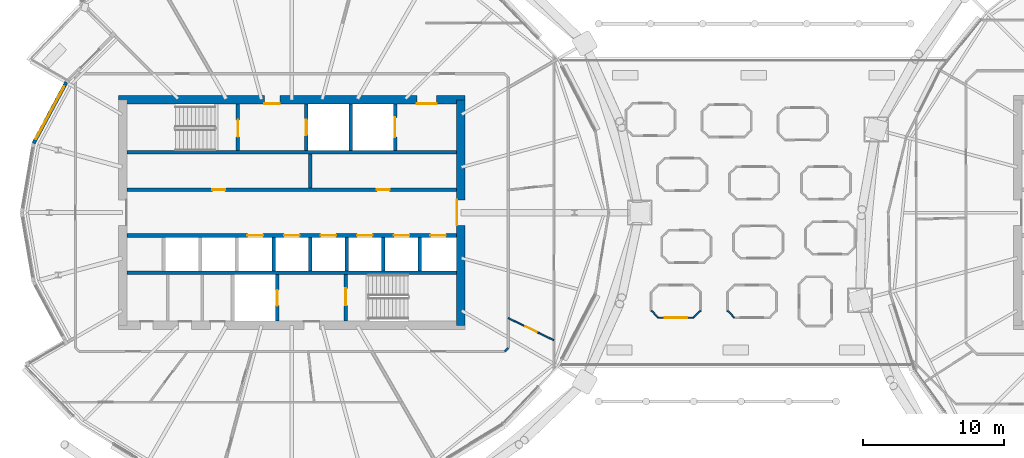
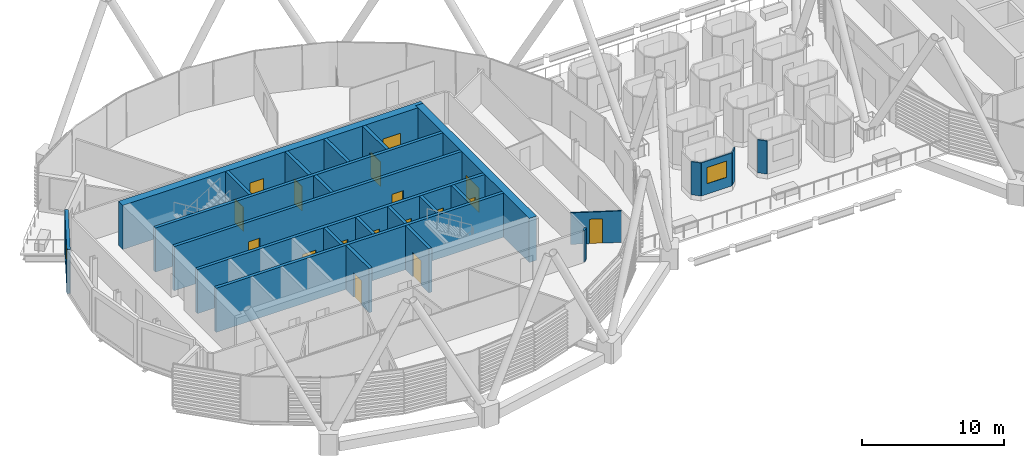
# One storey, part 23 of 38: 25 walls, 17 doors, 2 windows, 19 openings.
"""IFC4 building model written with IfcOpenShell, lengths in metres."""

from ifc_helpers import new_model, si_unit, direction, frame, frame_2d, origin, place, context, subcontext, project, spatial, rectangle, extrude, material, layer, layer_set, type_object, element, fill, save


model = new_model("IFC4")

# Units and contexts
model_context = context("Model", 3, precision=1e-05, world=origin(), true_north=direction((0.0, 1.0)))
body_context = subcontext(model_context, "Body", "Model", "MODEL_VIEW")
ifc_project = project(units=[si_unit("LENGTHUNIT", "METRE"), si_unit("AREAUNIT", "SQUARE_METRE"), si_unit("VOLUMEUNIT", "CUBIC_METRE"), si_unit("PLANEANGLEUNIT", "RADIAN"), si_unit("MASSUNIT", "GRAM", prefix="KILO")], contexts=[model_context])

# Site, building, storey
site_placement = place(None, origin())
site = spatial("IfcSite", under=ifc_project, at=site_placement, CompositionType="ELEMENT")
building_placement = place(site_placement, origin())
building = spatial("IfcBuilding", under=site, at=building_placement, Name="Rimbun Link Towers", CompositionType="ELEMENT")
storey_placement = place(building_placement, frame((0.0, 0.0, 158.89990234375)))
storey = spatial("IfcBuildingStorey", under=building, at=storey_placement, Name="L38", CompositionType="ELEMENT", Elevation=158.89990234375)

# Wall
ifc_material_1 = material(Name="Terracotta-faced insulated sandwich panel", Category="masonry")
ifc_layer_1 = layer(ifc_material_1, 0.10009765625)
ifc_layer_set_1 = layer_set([ifc_layer_1], Name="CAPSULE shell panel 100")
wall_type_1 = type_object("IfcWallType", Name="CAPSULE shell panel 100", PredefinedType="STANDARD", material=ifc_layer_set_1)
wall_1_placement = place(storey_placement, frame((-6.25, -6.949951171875, 0.41015625), z_axis=(0.0, 0.0, 1.0), x_axis=(0.707106781187, -0.707106781187, 0.0)))
element("IfcWall", 1, at=wall_1_placement, inside=storey, type_object=wall_type_1, Name="CAPSULE C01 shell panel 6", PredefinedType="STANDARD", context=body_context, shape_type="SweptSolid", body=[
    extrude(rectangle(XDim=0.70703125, YDim=0.10009765625, at=frame_2d((0.353515625, 0.0))), origin(), (0.0, 0.0, 1.0), 2.849853515625),
])

# Wall, opening, window
wall_2_placement = place(storey_placement, frame((-5.75, -7.449951171875, 0.41015625), z_axis=(0.0, 0.0, 1.0), x_axis=(1.0, 0.0, 0.0)))
wall_2 = element("IfcWall", 2, at=wall_2_placement, inside=storey, type_object=wall_type_1, Name="CAPSULE C01 shell panel 7", PredefinedType="STANDARD", context=body_context, shape_type="SweptSolid", body=[
    extrude(rectangle(XDim=2.5, YDim=0.10009765625, at=frame_2d((1.25, 0.0))), origin(), (0.0, 0.0, 1.0), 2.849853515625),
])
opening_1_placement = place(wall_2_placement, frame((0.449951171875, 0.0, 0.89990234375)))
opening_1 = element("IfcOpeningElement", 3, at=opening_1_placement, cuts=wall_2, Name="Opening CN38.01", PredefinedType="OPENING", context=body_context, shape_type="SweptSolid", body=[
    extrude(rectangle(XDim=1.60009765625, YDim=1.39990234375, at=frame_2d((0.800048828125, 0.699951171875))), frame((0.0, 0.06005859375, 0.0), z_axis=(0.0, -1.0, 0.0), x_axis=(1.0, 0.0, 0.0)), (0.0, 0.0, 1.0), 0.1201171875),
])
ifc_material_2 = material(Name="Aluminium framed window, low-iron glass", Category="aluminium")
window_type_1 = type_object("IfcWindowType", Name="CAPSULE window 1600X1400", PartitioningType="SINGLE_PANEL", PredefinedType="WINDOW", material=ifc_material_2)
window_1_placement = place(opening_1_placement, origin())
window_1 = element("IfcWindow", 4, at=window_1_placement, inside=storey, type_object=window_type_1, Name="CAPSULE C01 window", OverallHeight=1.39990234375, OverallWidth=1.60009765625, PartitioningType="SINGLE_PANEL", PredefinedType="WINDOW", context=body_context, shape_type="SweptSolid", body=[
    extrude(rectangle(XDim=1.60009765625, YDim=1.39990234375, at=frame_2d((0.800048828125, 0.699951171875))), frame((0.0, 0.030029296875, 0.0), z_axis=(0.0, -1.0, 0.0), x_axis=(1.0, 0.0, 0.0)), (0.0, 0.0, 1.0), 0.06005859375),
])
fill(opening_1, window_1)

# Walls
for number, where, z_axis, x_axis, name in (
    (5, (-3.25, -7.449951171875, 0.41015625), (0.0, 0.0, 1.0), (0.707106781187, 0.707106781187, 0.0), "CAPSULE C01 shell panel 8"),
    (6, (-0.85009765625, -6.949951171875, 0.41015625), (0.0, 0.0, 1.0), (0.707106781187, -0.707106781187, 0.0), "CAPSULE C02 shell panel 6"),
):
    element("IfcWall", number, at=place(storey_placement, frame(where, z_axis=z_axis, x_axis=x_axis)), inside=storey, type_object=wall_type_1, Name=name, PredefinedType="STANDARD", context=body_context, shape_type="SweptSolid", body=[
        extrude(rectangle(XDim=0.70703125, YDim=0.10009765625, at=frame_2d((0.353515625, 0.0))), origin(), (0.0, 0.0, 1.0), 2.849853515625),
    ])

# Wall, opening, window
ifc_material_3 = material(Name="Dark enamelled glass spandrel on insulated aluminium backpan", Category="aluminium")
ifc_layer_2 = layer(ifc_material_3, 0.25)
ifc_layer_set_2 = layer_set([ifc_layer_2], Name="CS dark enamelled spandrel wall 250")
wall_type_2 = type_object("IfcWallType", Name="CS dark enamelled spandrel wall 250", PredefinedType="STANDARD", material=ifc_layer_set_2)
wall_3_placement = place(storey_placement, frame((-50.07470703125, 4.919189453125, 0.0), z_axis=(0.0, 0.0, 1.0), x_axis=(0.473187986105, 0.880961480319, 0.0)))
wall_3 = element("IfcWall", 7, at=wall_3_placement, inside=storey, type_object=wall_type_2, Name="Crease spandrel wall", PredefinedType="STANDARD", context=body_context, shape_type="SweptSolid", body=[
    extrude(rectangle(XDim=4.9189453125, YDim=0.25, at=frame_2d((2.45947265625, 0.0))), origin(), (0.0, 0.0, 1.0), 3.800048828125),
])
opening_2_placement = place(wall_3_placement, frame((0.33447265625, 0.0, 0.300048828125)))
opening_2 = element("IfcOpeningElement", 8, at=opening_2_placement, cuts=wall_3, Name="Opening WR42H295", PredefinedType="OPENING", context=body_context, shape_type="SweptSolid", body=[
    extrude(rectangle(XDim=4.25, YDim=2.949951171875, at=frame_2d((2.125, 1.47509765625))), frame((0.0, 0.135009765625, 0.0), z_axis=(0.0, -1.0, 0.0), x_axis=(1.0, 0.0, 0.0)), (0.0, 0.0, 1.0), 0.27001953125),
])
ifc_material_4 = material(Name="Aluminium framed fixed window, dark tinted low-e glass", Category="aluminium")
window_type_2 = type_object("IfcWindowType", Name="WR ribbon window 4250X2950", PartitioningType="SINGLE_PANEL", PredefinedType="WINDOW", material=ifc_material_4)
window_2_placement = place(opening_2_placement, origin())
window_2 = element("IfcWindow", 9, at=window_2_placement, inside=storey, type_object=window_type_2, Name="Crease ribbon window", OverallHeight=2.949951171875, OverallWidth=4.25, PartitioningType="SINGLE_PANEL", PredefinedType="WINDOW", context=body_context, shape_type="SweptSolid", body=[
    extrude(rectangle(XDim=4.25, YDim=2.949951171875, at=frame_2d((2.125, 1.47509765625))), frame((0.0, 0.030029296875, 0.0), z_axis=(0.0, -1.0, 0.0), x_axis=(1.0, 0.0, 0.0)), (0.0, 0.0, 1.0), 0.06005859375),
])
fill(opening_2, window_2)

# Wall, openings, doors
ifc_material_5 = material(Name="Concrete C60/75", Category="concrete")
ifc_layer_3 = layer(ifc_material_5, 0.60009765625)
ifc_layer_set_3 = layer_set([ifc_layer_3], Name="Core shear wall 600")
wall_type_3 = type_object("IfcWallType", Name="Core shear wall 600", PredefinedType="SHEAR", material=ifc_layer_set_3)
wall_4_placement = place(storey_placement, frame((-44.050048828125, 8.0, 0.0), z_axis=(0.0, 0.0, 1.0), x_axis=(1.0, 0.0, 0.0)))
wall_4 = element("IfcWall", 10, at=wall_4_placement, inside=storey, type_object=wall_type_3, Name="L38 T1 core wall N", PredefinedType="SHEAR", context=body_context, shape_type="SweptSolid", body=[
    extrude(rectangle(XDim=24.60009765625, YDim=0.60009765625, at=frame_2d((12.300048828125, 0.0))), origin(), (0.0, 0.0, 1.0), 3.800048828125),
])
opening_3_placement = place(wall_4_placement, frame((10.35009765625, 0.0, 0.0)))
opening_3 = element("IfcOpeningElement", 11, at=opening_3_placement, cuts=wall_4, Name="Opening C1DCF01N", PredefinedType="OPENING", context=body_context, shape_type="SweptSolid", body=[
    extrude(rectangle(XDim=1.10009765625, YDim=2.10009765625, at=frame_2d((0.550048828125, 1.050048828125))), frame((0.0, 0.31005859375, 0.0), z_axis=(0.0, -1.0, 0.0), x_axis=(1.0, 0.0, 0.0)), (0.0, 0.0, 1.0), 0.6201171875),
])
opening_4_placement = place(wall_4_placement, frame((21.175048828125, 0.0, 0.0)))
opening_4 = element("IfcOpeningElement", 12, at=opening_4_placement, cuts=wall_4, Name="Opening C1DSL02N", PredefinedType="OPENING", context=body_context, shape_type="SweptSolid", body=[
    extrude(rectangle(XDim=1.39990234375, YDim=2.10009765625, at=frame_2d((0.699951171875, 1.050048828125))), frame((0.0, 0.31005859375, 0.0), z_axis=(0.0, -1.0, 0.0), x_axis=(1.0, 0.0, 0.0)), (0.0, 0.0, 1.0), 0.6201171875),
])
ifc_material_6 = material(Name="Steel fire door set", Category="steel")
door_type_1 = type_object("IfcDoorType", Name="Core fire door single", OperationType="SINGLE_SWING_LEFT", PredefinedType="DOOR", material=ifc_material_6)
door_1_placement = place(opening_3_placement, origin())
door_1 = element("IfcDoor", 13, at=door_1_placement, inside=storey, type_object=door_type_1, Name="L38 T1 firefighting lobby n door", OperationType="SINGLE_SWING_LEFT", OverallHeight=2.10009765625, OverallWidth=1.10009765625, PredefinedType="DOOR", context=body_context, shape_type="SweptSolid", body=[
    extrude(rectangle(XDim=1.10009765625, YDim=2.10009765625, at=frame_2d((0.550048828125, 1.050048828125))), frame((0.0, -0.25, 0.0), z_axis=(0.0, -1.0, 0.0), x_axis=(1.0, 0.0, 0.0)), (0.0, 0.0, 1.0), 0.050048828125),
])
fill(opening_3, door_1)
ifc_material_7 = material(Name="Steel fire door set", Category="steel")
door_type_2 = type_object("IfcDoorType", Name="Service lobby door double", OperationType="DOUBLE_DOOR_SINGLE_SWING", PredefinedType="DOOR", material=ifc_material_7)
door_2_placement = place(opening_4_placement, origin())
door_2 = element("IfcDoor", 14, at=door_2_placement, inside=storey, type_object=door_type_2, Name="L38 T1 service lobby door", OperationType="DOUBLE_DOOR_SINGLE_SWING", OverallHeight=2.10009765625, OverallWidth=1.39990234375, PredefinedType="DOOR", context=body_context, shape_type="SweptSolid", body=[
    extrude(rectangle(XDim=1.39990234375, YDim=2.10009765625, at=frame_2d((0.699951171875, 1.050048828125))), frame((0.0, -0.25, 0.0), z_axis=(0.0, -1.0, 0.0), x_axis=(1.0, 0.0, 0.0)), (0.0, 0.0, 1.0), 0.050048828125),
])
fill(opening_4, door_2)

# Wall, opening, door
wall_5_placement = place(storey_placement, frame((-19.75, -8.0, 0.0), z_axis=(0.0, 0.0, 1.0), x_axis=(0.0, 1.0, 0.0)))
wall_5 = element("IfcWall", 15, at=wall_5_placement, inside=storey, type_object=wall_type_3, Name="L38 T1 core wall E", PredefinedType="SHEAR", context=body_context, shape_type="SweptSolid", body=[
    extrude(rectangle(XDim=16.0, YDim=0.60009765625, at=frame_2d((8.0, 0.0))), origin(), (0.0, 0.0, 1.0), 3.800048828125),
])
opening_5_placement = place(wall_5_placement, frame((7.10009765625, 0.0, 0.0)))
opening_5 = element("IfcOpeningElement", 16, at=opening_5_placement, cuts=wall_5, Name="Opening C1DCL01E", PredefinedType="OPENING", context=body_context, shape_type="SweptSolid", body=[
    extrude(rectangle(XDim=1.800048828125, YDim=2.10009765625, at=frame_2d((0.89990234375, 1.050048828125))), frame((0.0, 0.31005859375, 0.0), z_axis=(0.0, -1.0, 0.0), x_axis=(1.0, 0.0, 0.0)), (0.0, 0.0, 1.0), 0.6201171875),
])
ifc_material_8 = material(Name="Steel fire door set", Category="steel")
door_type_3 = type_object("IfcDoorType", Name="Core lobby door double", OperationType="DOUBLE_DOOR_SINGLE_SWING", PredefinedType="DOOR", material=ifc_material_8)
door_3_placement = place(opening_5_placement, origin())
door_3 = element("IfcDoor", 17, at=door_3_placement, inside=storey, type_object=door_type_3, Name="L38 T1 lift lobby door", OperationType="DOUBLE_DOOR_SINGLE_SWING", OverallHeight=2.10009765625, OverallWidth=1.800048828125, PredefinedType="DOOR", context=body_context, shape_type="SweptSolid", body=[
    extrude(rectangle(XDim=1.800048828125, YDim=2.10009765625, at=frame_2d((0.89990234375, 1.050048828125))), frame((0.0, 0.2998046875, 0.0), z_axis=(0.0, -1.0, 0.0), x_axis=(1.0, 0.0, 0.0)), (0.0, 0.0, 1.0), 0.050048828125),
])
fill(opening_5, door_3)

# Wall
ifc_material_9 = material(Name="Plasterboard on steel stud, mineral wool", Category="steel")
ifc_layer_4 = layer(ifc_material_9, 0.14990234375)
ifc_layer_set_4 = layer_set([ifc_layer_4], Name="Corridor wall EI 30 150 mm")
wall_type_4 = type_object("IfcWallType", Name="Corridor wall EI 30 150 mm", PredefinedType="PARTITIONING", material=ifc_layer_set_4)
wall_6_placement = place(storey_placement, frame((-16.65625, -9.85498046875, 0.0), z_axis=(0.0, 0.0, 1.0), x_axis=(0.707106781187, 0.707106781187, 0.0)))
element("IfcWall", 18, at=wall_6_placement, inside=storey, type_object=wall_type_4, Name="Corridor wall EI 30 150 mm", PredefinedType="PARTITIONING", context=body_context, shape_type="SweptSolid", body=[
    extrude(rectangle(XDim=0.369384765625, YDim=0.14990234375, at=frame_2d((0.1845703125, 0.0))), origin(), (0.0, 0.0, 1.0), 2.712158203125),
])

# Wall, opening, door
ifc_material_10 = material(Name="Plasterboard on steel stud", Category="steel")
ifc_layer_5 = layer(ifc_material_10, 0.10009765625)
ifc_layer_set_5 = layer_set([ifc_layer_5], Name="Plasterboard partition 100 mm")
wall_type_5 = type_object("IfcWallType", Name="Plasterboard partition 100 mm", PredefinedType="PARTITIONING", material=ifc_layer_set_5)
wall_7_placement = place(storey_placement, frame((-16.39501953125, -7.480712890625, 0.0), z_axis=(0.0, 0.0, 1.0), x_axis=(0.89899944316, -0.437949770178, 0.0)))
wall_7 = element("IfcWall", 19, at=wall_7_placement, inside=storey, type_object=wall_type_5, Name="Plasterboard partition 100 mm", PredefinedType="PARTITIONING", context=body_context, shape_type="SweptSolid", body=[
    extrude(rectangle(XDim=3.60400390625, YDim=0.10009765625, at=frame_2d((1.802001953125, 0.0))), origin(), (0.0, 0.0, 1.0), 2.712158203125),
])
opening_6_placement = place(wall_7_placement, frame((1.35205078125, 0.0, 0.0)))
opening_6 = element("IfcOpeningElement", 20, at=opening_6_placement, cuts=wall_7, Name="Opening D04", PredefinedType="OPENING", context=body_context, shape_type="SweptSolid", body=[
    extrude(rectangle(XDim=0.89990234375, YDim=2.10009765625, at=frame_2d((0.449951171875, 1.050048828125))), frame((0.0, 0.06005859375, 0.0), z_axis=(0.0, -1.0, 0.0), x_axis=(1.0, 0.0, 0.0)), (0.0, 0.0, 1.0), 0.1201171875),
])
ifc_material_11 = material(Name="Timber door leaf", Category="wood")
door_type_4 = type_object("IfcDoorType", Name="Flush door 900", OperationType="NOTDEFINED", PredefinedType="DOOR", material=ifc_material_11)
door_4_placement = place(opening_6_placement, origin())
door_4 = element("IfcDoor", 21, at=door_4_placement, inside=storey, type_object=door_type_4, Name="Flush door 900 to Data room", OperationType="SINGLE_SWING_LEFT", OverallHeight=2.10009765625, OverallWidth=0.89990234375, PredefinedType="DOOR", context=body_context, shape_type="SweptSolid", body=[
    extrude(rectangle(XDim=0.89990234375, YDim=2.10009765625, at=frame_2d((0.449951171875, 1.050048828125))), frame((0.0, 0.02490234375, 0.0), z_axis=(0.0, -1.0, 0.0), x_axis=(1.0, 0.0, 0.0)), (0.0, 0.0, 1.0), 0.050048828125),
])
fill(opening_6, door_4)

# Walls
ifc_material_12 = material(Name="Concrete C60/75", Category="concrete")
ifc_layer_6 = layer(ifc_material_12, 0.25)
ifc_layer_set_6 = layer_set([ifc_layer_6], Name="Shaft wall 250")
wall_type_6 = type_object("IfcWallType", Name="Shaft wall 250", PredefinedType="SHEAR", material=ifc_layer_set_6)
for number, where, z_axis, x_axis, name in (
    (22, (-43.449951171875, 4.27490234375, 0.0), (0.0, 0.0, 1.0), (1.0, 0.0, 0.0), "L38 T1 core wall BN"),
    (23, (-43.449951171875, -4.27490234375, 0.0), (0.0, 0.0, 1.0), (1.0, 0.0, 0.0), "L38 T1 core wall BS"),
):
    element("IfcWall", number, at=place(storey_placement, frame(where, z_axis=z_axis, x_axis=x_axis)), inside=storey, type_object=wall_type_6, Name=name, PredefinedType="SHEAR", context=body_context, shape_type="SweptSolid", body=[
        extrude(rectangle(XDim=23.39990234375, YDim=0.25, at=frame_2d((11.699951171875, 0.0))), origin(), (0.0, 0.0, 1.0), 3.800048828125),
    ])

# Wall, openings, doors
wall_8_placement = place(storey_placement, frame((-43.449951171875, 1.625, 0.0), z_axis=(0.0, 0.0, 1.0), x_axis=(1.0, 0.0, 0.0)))
wall_8 = element("IfcWall", 24, at=wall_8_placement, inside=storey, type_object=wall_type_6, Name="L38 T1 core wall FN", PredefinedType="SHEAR", context=body_context, shape_type="SweptSolid", body=[
    extrude(rectangle(XDim=23.39990234375, YDim=0.25, at=frame_2d((11.699951171875, 0.0))), origin(), (0.0, 0.0, 1.0), 3.800048828125),
])
opening_7_placement = place(wall_8_placement, frame((6.06103515625, 0.0, 0.0)))
opening_7 = element("IfcOpeningElement", 25, at=opening_7_placement, cuts=wall_8, Name="Opening C1DRS01FN", PredefinedType="OPENING", context=body_context, shape_type="SweptSolid", body=[
    extrude(rectangle(XDim=0.89990234375, YDim=2.10009765625, at=frame_2d((0.449951171875, 1.050048828125))), frame((0.0, 0.135009765625, 0.0), z_axis=(0.0, -1.0, 0.0), x_axis=(1.0, 0.0, 0.0)), (0.0, 0.0, 1.0), 0.27001953125),
])
opening_8_placement = place(wall_8_placement, frame((17.736083984375, 0.0, 0.0)))
opening_8 = element("IfcOpeningElement", 26, at=opening_8_placement, cuts=wall_8, Name="Opening C1DRS02FN", PredefinedType="OPENING", context=body_context, shape_type="SweptSolid", body=[
    extrude(rectangle(XDim=0.89990234375, YDim=2.10009765625, at=frame_2d((0.449951171875, 1.050048828125))), frame((0.0, 0.135009765625, 0.0), z_axis=(0.0, -1.0, 0.0), x_axis=(1.0, 0.0, 0.0)), (0.0, 0.0, 1.0), 0.27001953125),
])
ifc_material_13 = material(Name="Steel fire door set", Category="steel")
door_type_5 = type_object("IfcDoorType", Name="Core riser door", OperationType="SINGLE_SWING_LEFT", PredefinedType="DOOR", material=ifc_material_13)
door_5_placement = place(opening_7_placement, origin())
door_5 = element("IfcDoor", 27, at=door_5_placement, inside=storey, type_object=door_type_5, Name="L38 T1 data room door", OperationType="SINGLE_SWING_LEFT", OverallHeight=2.10009765625, OverallWidth=0.89990234375, PredefinedType="DOOR", context=body_context, shape_type="SweptSolid", body=[
    extrude(rectangle(XDim=0.89990234375, YDim=2.10009765625, at=frame_2d((0.449951171875, 1.050048828125))), frame((0.0, 0.02490234375, 0.0), z_axis=(0.0, -1.0, 0.0), x_axis=(1.0, 0.0, 0.0)), (0.0, 0.0, 1.0), 0.050048828125),
])
fill(opening_7, door_5)
door_6_placement = place(opening_8_placement, origin())
door_6 = element("IfcDoor", 28, at=door_6_placement, inside=storey, type_object=door_type_5, Name="L38 T1 meeting room door", OperationType="SINGLE_SWING_LEFT", OverallHeight=2.10009765625, OverallWidth=0.89990234375, PredefinedType="DOOR", context=body_context, shape_type="SweptSolid", body=[
    extrude(rectangle(XDim=0.89990234375, YDim=2.10009765625, at=frame_2d((0.449951171875, 1.050048828125))), frame((0.0, 0.02490234375, 0.0), z_axis=(0.0, -1.0, 0.0), x_axis=(1.0, 0.0, 0.0)), (0.0, 0.0, 1.0), 0.050048828125),
])
fill(opening_8, door_6)

wall_9_placement = place(storey_placement, frame((-43.449951171875, -1.625, 0.0), z_axis=(0.0, 0.0, 1.0), x_axis=(1.0, 0.0, 0.0)))
wall_9 = element("IfcWall", 29, at=wall_9_placement, inside=storey, type_object=wall_type_6, Name="L38 T1 core wall FS", PredefinedType="SHEAR", context=body_context, shape_type="SweptSolid", body=[
    extrude(rectangle(XDim=23.39990234375, YDim=0.25, at=frame_2d((11.699951171875, 0.0))), origin(), (0.0, 0.0, 1.0), 3.800048828125),
])
opening_9_placement = place(wall_9_placement, frame((8.5556640625, 0.0, 0.0)))
opening_9 = element("IfcOpeningElement", 30, at=opening_9_placement, cuts=wall_9, Name="Opening LD-T1-HR1", PredefinedType="OPENING", context=body_context, shape_type="SweptSolid", body=[
    extrude(rectangle(XDim=1.10009765625, YDim=2.10009765625, at=frame_2d((0.550048828125, 1.050048828125))), frame((0.0, 0.135009765625, 0.0), z_axis=(0.0, -1.0, 0.0), x_axis=(1.0, 0.0, 0.0)), (0.0, 0.0, 1.0), 0.27001953125),
])
opening_10_placement = place(wall_9_placement, frame((11.14990234375, 0.0, 0.0)))
opening_10 = element("IfcOpeningElement", 31, at=opening_10_placement, cuts=wall_9, Name="Opening LD-T1-HR2", PredefinedType="OPENING", context=body_context, shape_type="SweptSolid", body=[
    extrude(rectangle(XDim=1.10009765625, YDim=2.10009765625, at=frame_2d((0.550048828125, 1.050048828125))), frame((0.0, 0.135009765625, 0.0), z_axis=(0.0, -1.0, 0.0), x_axis=(1.0, 0.0, 0.0)), (0.0, 0.0, 1.0), 0.27001953125),
])
opening_11_placement = place(wall_9_placement, frame((13.744384765625, 0.0, 0.0)))
opening_11 = element("IfcOpeningElement", 32, at=opening_11_placement, cuts=wall_9, Name="Opening LD-T1-HR3", PredefinedType="OPENING", context=body_context, shape_type="SweptSolid", body=[
    extrude(rectangle(XDim=1.10009765625, YDim=2.10009765625, at=frame_2d((0.550048828125, 1.050048828125))), frame((0.0, 0.135009765625, 0.0), z_axis=(0.0, -1.0, 0.0), x_axis=(1.0, 0.0, 0.0)), (0.0, 0.0, 1.0), 0.27001953125),
])
opening_12_placement = place(wall_9_placement, frame((16.3388671875, 0.0, 0.0)))
opening_12 = element("IfcOpeningElement", 33, at=opening_12_placement, cuts=wall_9, Name="Opening LD-T1-HR4", PredefinedType="OPENING", context=body_context, shape_type="SweptSolid", body=[
    extrude(rectangle(XDim=1.10009765625, YDim=2.10009765625, at=frame_2d((0.550048828125, 1.050048828125))), frame((0.0, 0.135009765625, 0.0), z_axis=(0.0, -1.0, 0.0), x_axis=(1.0, 0.0, 0.0)), (0.0, 0.0, 1.0), 0.27001953125),
])
opening_13_placement = place(wall_9_placement, frame((18.933349609375, 0.0, 0.0)))
opening_13 = element("IfcOpeningElement", 34, at=opening_13_placement, cuts=wall_9, Name="Opening LD-T1-HR5", PredefinedType="OPENING", context=body_context, shape_type="SweptSolid", body=[
    extrude(rectangle(XDim=1.10009765625, YDim=2.10009765625, at=frame_2d((0.550048828125, 1.050048828125))), frame((0.0, 0.135009765625, 0.0), z_axis=(0.0, -1.0, 0.0), x_axis=(1.0, 0.0, 0.0)), (0.0, 0.0, 1.0), 0.27001953125),
])
opening_14_placement = place(wall_9_placement, frame((21.52783203125, 0.0, 0.0)))
opening_14 = element("IfcOpeningElement", 35, at=opening_14_placement, cuts=wall_9, Name="Opening LD-T1-HR6", PredefinedType="OPENING", context=body_context, shape_type="SweptSolid", body=[
    extrude(rectangle(XDim=1.10009765625, YDim=2.10009765625, at=frame_2d((0.550048828125, 1.050048828125))), frame((0.0, 0.135009765625, 0.0), z_axis=(0.0, -1.0, 0.0), x_axis=(1.0, 0.0, 0.0)), (0.0, 0.0, 1.0), 0.27001953125),
])
ifc_material_14 = material(Name="Stainless steel grade 316", Category="steel")
door_type_6 = type_object("IfcDoorType", Name="Lift landing door", OperationType="DOUBLE_DOOR_SLIDING", PredefinedType="DOOR", material=ifc_material_14)
door_7_placement = place(opening_9_placement, origin())
door_7 = element("IfcDoor", 36, at=door_7_placement, inside=storey, type_object=door_type_6, Name="L38 T1 lift HR1 landing door", OperationType="DOUBLE_DOOR_SLIDING", OverallHeight=2.10009765625, OverallWidth=1.10009765625, PredefinedType="DOOR", context=body_context, shape_type="SweptSolid", body=[
    extrude(rectangle(XDim=1.10009765625, YDim=2.10009765625, at=frame_2d((0.550048828125, 1.050048828125))), frame((0.0, 0.02490234375, 0.0), z_axis=(0.0, -1.0, 0.0), x_axis=(1.0, 0.0, 0.0)), (0.0, 0.0, 1.0), 0.050048828125),
])
fill(opening_9, door_7)
door_8_placement = place(opening_10_placement, origin())
door_8 = element("IfcDoor", 37, at=door_8_placement, inside=storey, type_object=door_type_6, Name="L38 T1 lift HR2 landing door", OperationType="DOUBLE_DOOR_SLIDING", OverallHeight=2.10009765625, OverallWidth=1.10009765625, PredefinedType="DOOR", context=body_context, shape_type="SweptSolid", body=[
    extrude(rectangle(XDim=1.10009765625, YDim=2.10009765625, at=frame_2d((0.550048828125, 1.050048828125))), frame((0.0, 0.02490234375, 0.0), z_axis=(0.0, -1.0, 0.0), x_axis=(1.0, 0.0, 0.0)), (0.0, 0.0, 1.0), 0.050048828125),
])
fill(opening_10, door_8)
door_9_placement = place(opening_11_placement, origin())
door_9 = element("IfcDoor", 38, at=door_9_placement, inside=storey, type_object=door_type_6, Name="L38 T1 lift HR3 landing door", OperationType="DOUBLE_DOOR_SLIDING", OverallHeight=2.10009765625, OverallWidth=1.10009765625, PredefinedType="DOOR", context=body_context, shape_type="SweptSolid", body=[
    extrude(rectangle(XDim=1.10009765625, YDim=2.10009765625, at=frame_2d((0.550048828125, 1.050048828125))), frame((0.0, 0.02490234375, 0.0), z_axis=(0.0, -1.0, 0.0), x_axis=(1.0, 0.0, 0.0)), (0.0, 0.0, 1.0), 0.050048828125),
])
fill(opening_11, door_9)
door_10_placement = place(opening_12_placement, origin())
door_10 = element("IfcDoor", 39, at=door_10_placement, inside=storey, type_object=door_type_6, Name="L38 T1 lift HR4 landing door", OperationType="DOUBLE_DOOR_SLIDING", OverallHeight=2.10009765625, OverallWidth=1.10009765625, PredefinedType="DOOR", context=body_context, shape_type="SweptSolid", body=[
    extrude(rectangle(XDim=1.10009765625, YDim=2.10009765625, at=frame_2d((0.550048828125, 1.050048828125))), frame((0.0, 0.02490234375, 0.0), z_axis=(0.0, -1.0, 0.0), x_axis=(1.0, 0.0, 0.0)), (0.0, 0.0, 1.0), 0.050048828125),
])
fill(opening_12, door_10)
door_11_placement = place(opening_13_placement, origin())
door_11 = element("IfcDoor", 40, at=door_11_placement, inside=storey, type_object=door_type_6, Name="L38 T1 lift HR5 landing door", OperationType="DOUBLE_DOOR_SLIDING", OverallHeight=2.10009765625, OverallWidth=1.10009765625, PredefinedType="DOOR", context=body_context, shape_type="SweptSolid", body=[
    extrude(rectangle(XDim=1.10009765625, YDim=2.10009765625, at=frame_2d((0.550048828125, 1.050048828125))), frame((0.0, 0.02490234375, 0.0), z_axis=(0.0, -1.0, 0.0), x_axis=(1.0, 0.0, 0.0)), (0.0, 0.0, 1.0), 0.050048828125),
])
fill(opening_13, door_11)
door_12_placement = place(opening_14_placement, origin())
door_12 = element("IfcDoor", 41, at=door_12_placement, inside=storey, type_object=door_type_6, Name="L38 T1 lift HR6 landing door", OperationType="DOUBLE_DOOR_SLIDING", OverallHeight=2.10009765625, OverallWidth=1.10009765625, PredefinedType="DOOR", context=body_context, shape_type="SweptSolid", body=[
    extrude(rectangle(XDim=1.10009765625, YDim=2.10009765625, at=frame_2d((0.550048828125, 1.050048828125))), frame((0.0, 0.02490234375, 0.0), z_axis=(0.0, -1.0, 0.0), x_axis=(1.0, 0.0, 0.0)), (0.0, 0.0, 1.0), 0.050048828125),
])
fill(opening_14, door_12)

# Walls
for number, where, z_axis, x_axis, name in (
    (42, (-30.452880859375, 1.75, 0.0), (0.0, 0.0, 1.0), (0.0, 1.0, 0.0), "L38 T1 core wall DN4"),
    (43, (-33.047119140625, -4.14990234375, 0.0), (0.0, 0.0, 1.0), (0.0, 1.0, 0.0), "L38 T1 core wall DS3"),
    (44, (-30.452880859375, -4.14990234375, 0.0), (0.0, 0.0, 1.0), (0.0, 1.0, 0.0), "L38 T1 core wall DS4"),
    (45, (-27.8583984375, -4.14990234375, 0.0), (0.0, 0.0, 1.0), (0.0, 1.0, 0.0), "L38 T1 core wall DS5"),
    (46, (-25.263916015625, -4.14990234375, 0.0), (0.0, 0.0, 1.0), (0.0, 1.0, 0.0), "L38 T1 core wall DS6"),
    (47, (-22.66943359375, -4.14990234375, 0.0), (0.0, 0.0, 1.0), (0.0, 1.0, 0.0), "L38 T1 core wall DS7"),
):
    element("IfcWall", number, at=place(storey_placement, frame(where, z_axis=z_axis, x_axis=x_axis)), inside=storey, type_object=wall_type_6, Name=name, PredefinedType="SHEAR", context=body_context, shape_type="SweptSolid", body=[
        extrude(rectangle(XDim=2.39990234375, YDim=0.25, at=frame_2d((1.199951171875, 0.0))), origin(), (0.0, 0.0, 1.0), 3.800048828125),
    ])

# Wall, opening, door
wall_10_placement = place(storey_placement, frame((-35.574951171875, 4.39990234375, 0.0), z_axis=(0.0, 0.0, 1.0), x_axis=(0.0, 1.0, 0.0)))
wall_10 = element("IfcWall", 48, at=wall_10_placement, inside=storey, type_object=wall_type_6, Name="L38 T1 core wall A1", PredefinedType="SHEAR", context=body_context, shape_type="SweptSolid", body=[
    extrude(rectangle(XDim=3.300048828125, YDim=0.25, at=frame_2d((1.64990234375, 0.0))), origin(), (0.0, 0.0, 1.0), 3.800048828125),
])
opening_15_placement = place(wall_10_placement, frame((0.97509765625, 0.0, 0.0)))
opening_15 = element("IfcOpeningElement", 49, at=opening_15_placement, cuts=wall_10, Name="Opening C1DST01A1", PredefinedType="OPENING", context=body_context, shape_type="SweptSolid", body=[
    extrude(rectangle(XDim=1.199951171875, YDim=2.10009765625, at=frame_2d((0.60009765625, 1.050048828125))), frame((0.0, 0.135009765625, 0.0), z_axis=(0.0, -1.0, 0.0), x_axis=(1.0, 0.0, 0.0)), (0.0, 0.0, 1.0), 0.27001953125),
])
ifc_material_15 = material(Name="Steel fire door set", Category="steel")
door_type_7 = type_object("IfcDoorType", Name="Stair door", OperationType="SINGLE_SWING_LEFT", PredefinedType="DOOR", material=ifc_material_15)
door_13_placement = place(opening_15_placement, origin())
door_13 = element("IfcDoor", 50, at=door_13_placement, inside=storey, type_object=door_type_7, Name="L38 T1 stair a door", OperationType="SINGLE_SWING_RIGHT", OverallHeight=2.10009765625, OverallWidth=1.199951171875, PredefinedType="DOOR", context=body_context, shape_type="SweptSolid", body=[
    extrude(rectangle(XDim=1.199951171875, YDim=2.10009765625, at=frame_2d((0.60009765625, 1.050048828125))), frame((0.0, 0.02490234375, 0.0), z_axis=(0.0, -1.0, 0.0), x_axis=(1.0, 0.0, 0.0)), (0.0, 0.0, 1.0), 0.050048828125),
])
fill(opening_15, door_13)

wall_11_placement = place(storey_placement, frame((-30.72509765625, 4.39990234375, 0.0), z_axis=(0.0, 0.0, 1.0), x_axis=(0.0, 1.0, 0.0)))
wall_11 = element("IfcWall", 51, at=wall_11_placement, inside=storey, type_object=wall_type_6, Name="L38 T1 core wall A2", PredefinedType="SHEAR", context=body_context, shape_type="SweptSolid", body=[
    extrude(rectangle(XDim=3.300048828125, YDim=0.25, at=frame_2d((1.64990234375, 0.0))), origin(), (0.0, 0.0, 1.0), 3.800048828125),
])
opening_16_placement = place(wall_11_placement, frame((1.10009765625, 0.0, 0.0)))
opening_16 = element("IfcOpeningElement", 52, at=opening_16_placement, cuts=wall_11, Name="Opening LD-T1-FF1", PredefinedType="OPENING", context=body_context, shape_type="SweptSolid", body=[
    extrude(rectangle(XDim=1.10009765625, YDim=2.10009765625, at=frame_2d((0.550048828125, 1.050048828125))), frame((0.0, 0.135009765625, 0.0), z_axis=(0.0, -1.0, 0.0), x_axis=(1.0, 0.0, 0.0)), (0.0, 0.0, 1.0), 0.27001953125),
])
door_14_placement = place(opening_16_placement, origin())
door_14 = element("IfcDoor", 53, at=door_14_placement, inside=storey, type_object=door_type_6, Name="L38 T1 lift FF1 landing door", OperationType="DOUBLE_DOOR_SLIDING", OverallHeight=2.10009765625, OverallWidth=1.10009765625, PredefinedType="DOOR", context=body_context, shape_type="SweptSolid", body=[
    extrude(rectangle(XDim=1.10009765625, YDim=2.10009765625, at=frame_2d((0.550048828125, 1.050048828125))), frame((0.0, 0.02490234375, 0.0), z_axis=(0.0, -1.0, 0.0), x_axis=(1.0, 0.0, 0.0)), (0.0, 0.0, 1.0), 0.050048828125),
])
fill(opening_16, door_14)

# Wall
wall_12_placement = place(storey_placement, frame((-27.574951171875, 4.39990234375, 0.0), z_axis=(0.0, 0.0, 1.0), x_axis=(0.0, 1.0, 0.0)))
element("IfcWall", 54, at=wall_12_placement, inside=storey, type_object=wall_type_6, Name="L38 T1 core wall A3", PredefinedType="SHEAR", context=body_context, shape_type="SweptSolid", body=[
    extrude(rectangle(XDim=3.300048828125, YDim=0.25, at=frame_2d((1.64990234375, 0.0))), origin(), (0.0, 0.0, 1.0), 3.800048828125),
])

# Wall, opening, door
wall_13_placement = place(storey_placement, frame((-24.425048828125, 4.39990234375, 0.0), z_axis=(0.0, 0.0, 1.0), x_axis=(0.0, 1.0, 0.0)))
wall_13 = element("IfcWall", 55, at=wall_13_placement, inside=storey, type_object=wall_type_6, Name="L38 T1 core wall A4", PredefinedType="SHEAR", context=body_context, shape_type="SweptSolid", body=[
    extrude(rectangle(XDim=3.300048828125, YDim=0.25, at=frame_2d((1.64990234375, 0.0))), origin(), (0.0, 0.0, 1.0), 3.800048828125),
])
opening_17_placement = place(wall_13_placement, frame((0.949951171875, 0.0, 0.0)))
opening_17 = element("IfcOpeningElement", 56, at=opening_17_placement, cuts=wall_13, Name="Opening LD-T1-GL1", PredefinedType="OPENING", context=body_context, shape_type="SweptSolid", body=[
    extrude(rectangle(XDim=1.39990234375, YDim=2.10009765625, at=frame_2d((0.699951171875, 1.050048828125))), frame((0.0, 0.135009765625, 0.0), z_axis=(0.0, -1.0, 0.0), x_axis=(1.0, 0.0, 0.0)), (0.0, 0.0, 1.0), 0.27001953125),
])
ifc_material_16 = material(Name="Stainless steel grade 316", Category="steel")
door_type_8 = type_object("IfcDoorType", Name="Goods lift landing door", OperationType="DOUBLE_DOOR_SLIDING", PredefinedType="DOOR", material=ifc_material_16)
door_15_placement = place(opening_17_placement, origin())
door_15 = element("IfcDoor", 57, at=door_15_placement, inside=storey, type_object=door_type_8, Name="L38 T1 lift GL1 landing door", OperationType="DOUBLE_DOOR_SLIDING", OverallHeight=2.10009765625, OverallWidth=1.39990234375, PredefinedType="DOOR", context=body_context, shape_type="SweptSolid", body=[
    extrude(rectangle(XDim=1.39990234375, YDim=2.10009765625, at=frame_2d((0.699951171875, 1.050048828125))), frame((0.0, 0.02490234375, 0.0), z_axis=(0.0, -1.0, 0.0), x_axis=(1.0, 0.0, 0.0)), (0.0, 0.0, 1.0), 0.050048828125),
])
fill(opening_17, door_15)

wall_14_placement = place(storey_placement, frame((-27.925048828125, -4.39990234375, 0.0), z_axis=(0.0, 0.0, 1.0), x_axis=(0.0, -1.0, 0.0)))
wall_14 = element("IfcWall", 58, at=wall_14_placement, inside=storey, type_object=wall_type_6, Name="L38 T1 core wall B1", PredefinedType="SHEAR", context=body_context, shape_type="SweptSolid", body=[
    extrude(rectangle(XDim=3.300048828125, YDim=0.25, at=frame_2d((1.64990234375, 0.0))), origin(), (0.0, 0.0, 1.0), 3.800048828125),
])
opening_18_placement = place(wall_14_placement, frame((0.97509765625, 0.0, 0.0)))
opening_18 = element("IfcOpeningElement", 59, at=opening_18_placement, cuts=wall_14, Name="Opening C1DST01B1", PredefinedType="OPENING", context=body_context, shape_type="SweptSolid", body=[
    extrude(rectangle(XDim=1.199951171875, YDim=2.10009765625, at=frame_2d((0.60009765625, 1.050048828125))), frame((0.0, 0.135009765625, 0.0), z_axis=(0.0, -1.0, 0.0), x_axis=(1.0, 0.0, 0.0)), (0.0, 0.0, 1.0), 0.27001953125),
])
door_16_placement = place(opening_18_placement, origin())
door_16 = element("IfcDoor", 60, at=door_16_placement, inside=storey, type_object=door_type_7, Name="L38 T1 stair b door", OperationType="SINGLE_SWING_RIGHT", OverallHeight=2.10009765625, OverallWidth=1.199951171875, PredefinedType="DOOR", context=body_context, shape_type="SweptSolid", body=[
    extrude(rectangle(XDim=1.199951171875, YDim=2.10009765625, at=frame_2d((0.60009765625, 1.050048828125))), frame((0.0, 0.02490234375, 0.0), z_axis=(0.0, -1.0, 0.0), x_axis=(1.0, 0.0, 0.0)), (0.0, 0.0, 1.0), 0.050048828125),
])
fill(opening_18, door_16)

wall_15_placement = place(storey_placement, frame((-32.77490234375, -4.39990234375, 0.0), z_axis=(0.0, 0.0, 1.0), x_axis=(0.0, -1.0, 0.0)))
wall_15 = element("IfcWall", 61, at=wall_15_placement, inside=storey, type_object=wall_type_6, Name="L38 T1 core wall B2", PredefinedType="SHEAR", context=body_context, shape_type="SweptSolid", body=[
    extrude(rectangle(XDim=3.300048828125, YDim=0.25, at=frame_2d((1.64990234375, 0.0))), origin(), (0.0, 0.0, 1.0), 3.800048828125),
])
opening_19_placement = place(wall_15_placement, frame((1.10009765625, 0.0, 0.0)))
opening_19 = element("IfcOpeningElement", 62, at=opening_19_placement, cuts=wall_15, Name="Opening LD-T1-FF2", PredefinedType="OPENING", context=body_context, shape_type="SweptSolid", body=[
    extrude(rectangle(XDim=1.10009765625, YDim=2.10009765625, at=frame_2d((0.550048828125, 1.050048828125))), frame((0.0, 0.135009765625, 0.0), z_axis=(0.0, -1.0, 0.0), x_axis=(1.0, 0.0, 0.0)), (0.0, 0.0, 1.0), 0.27001953125),
])
door_17_placement = place(opening_19_placement, origin())
door_17 = element("IfcDoor", 63, at=door_17_placement, inside=storey, type_object=door_type_6, Name="L38 T1 lift FF2 landing door", OperationType="DOUBLE_DOOR_SLIDING", OverallHeight=2.10009765625, OverallWidth=1.10009765625, PredefinedType="DOOR", context=body_context, shape_type="SweptSolid", body=[
    extrude(rectangle(XDim=1.10009765625, YDim=2.10009765625, at=frame_2d((0.550048828125, 1.050048828125))), frame((0.0, 0.02490234375, 0.0), z_axis=(0.0, -1.0, 0.0), x_axis=(1.0, 0.0, 0.0)), (0.0, 0.0, 1.0), 0.050048828125),
])
fill(opening_19, door_17)

save(model, "model.ifc")
